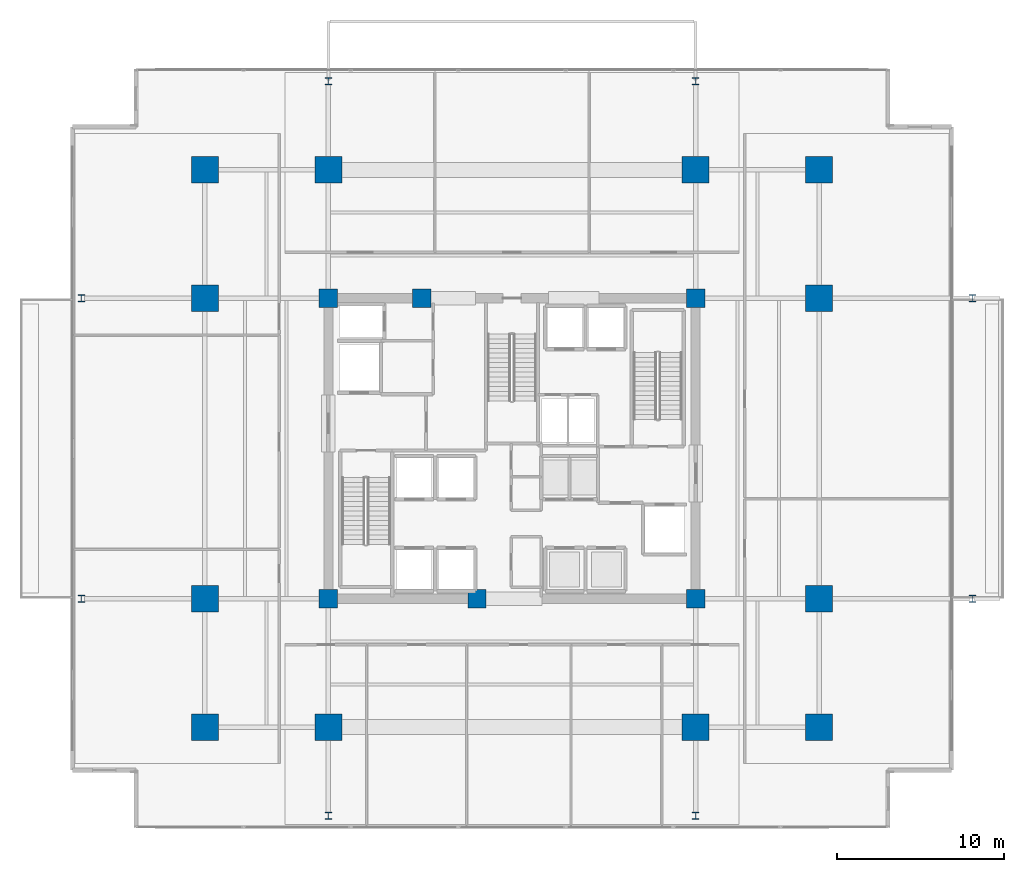
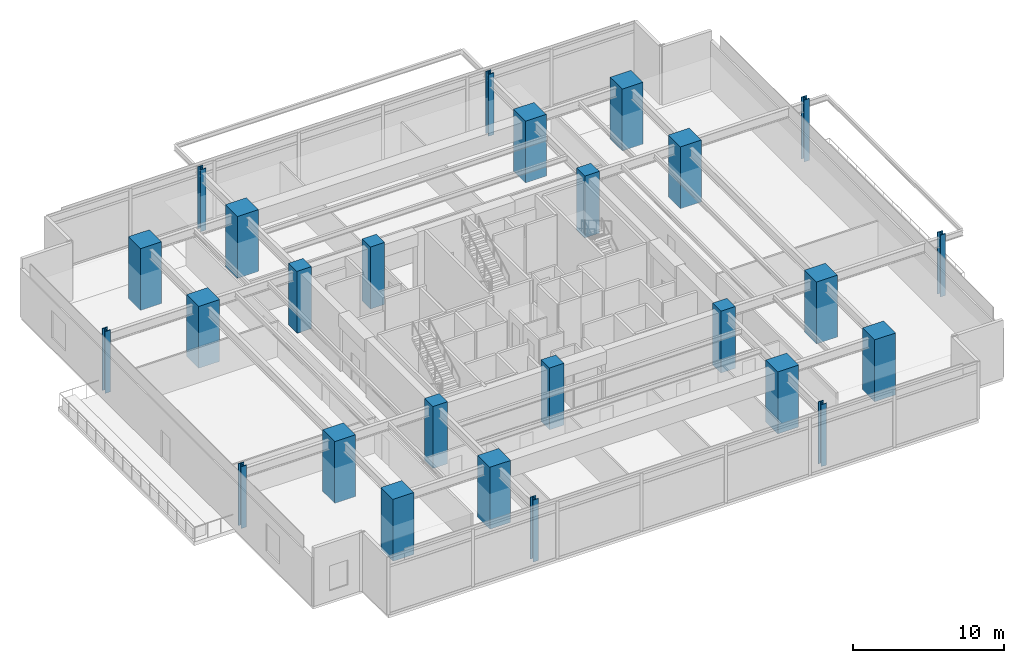
# One storey, part 1 of 24: 26 columns.
"""IFC4 building model written with IfcOpenShell, lengths in metres."""

from ifc_helpers import new_model, si_unit, direction, frame, origin, origin_2d, place, context, subcontext, project, spatial, rectangle, i_section, extrude, material, material_profile, profile_set, type_object, element, save


model = new_model("IFC4")

# Units and contexts
model_context = context("Model", 3, precision=1e-05, world=origin(), true_north=direction((0.0, 1.0)))
body_context = subcontext(model_context, "Body", "Model", "MODEL_VIEW")
ifc_project = project(units=[si_unit("LENGTHUNIT", "METRE"), si_unit("AREAUNIT", "SQUARE_METRE"), si_unit("VOLUMEUNIT", "CUBIC_METRE"), si_unit("PLANEANGLEUNIT", "RADIAN"), si_unit("MASSUNIT", "GRAM", prefix="KILO")], contexts=[model_context])

# Site, building, storey
site_placement = place(None, origin())
site = spatial("IfcSite", under=ifc_project, at=site_placement, CompositionType="ELEMENT")
building_placement = place(site_placement, origin())
building = spatial("IfcBuilding", under=site, at=building_placement, Name="Kovane Verandah Tower", CompositionType="ELEMENT")
storey_placement = place(building_placement, frame((0.0, 0.0, 118.39990234375)))
storey = spatial("IfcBuildingStorey", under=building, at=storey_placement, Name="L27", CompositionType="ELEMENT", Elevation=118.39990234375)

# Columns
ifc_material_1 = material(Name="Concrete C80/95", Category="concrete")
ifc_material_profile_1 = material_profile(ifc_material_1, rectangle(XDim=1.60009765625, YDim=1.60009765625, at=origin_2d()), Name="RC1600x1600")
ifc_profile_set_1 = profile_set([ifc_material_profile_1], Name="Concrete C80/95")
column_type_1 = type_object("IfcColumnType", Name="COL-RC1600", PredefinedType="COLUMN", material=ifc_profile_set_1)
for number, where, z_axis, x_axis, name in (
    (1, (29.0, 10.800048828125, 0.0), (0.0, 0.0, 1.0), (1.0, 0.0, 0.0), "L27 Tower Mega-Column MC-S1"),
    (2, (51.0, 10.800048828125, 0.0), (0.0, 0.0, 1.0), (1.0, 0.0, 0.0), "L27 Tower Mega-Column MC-S2"),
    (3, (29.0, 44.199951171875, 0.0), (0.0, 0.0, 1.0), (1.0, 0.0, 0.0), "L27 Tower Mega-Column MC-N1"),
    (4, (51.0, 44.199951171875, 0.0), (0.0, 0.0, 1.0), (1.0, 0.0, 0.0), "L27 Tower Mega-Column MC-N2"),
    (5, (21.60009765625, 18.5, 0.0), (0.0, 0.0, 1.0), (1.0, 0.0, 0.0), "L27 Tower Mega-Column MC-W1"),
    (6, (21.60009765625, 36.5, 0.0), (0.0, 0.0, 1.0), (1.0, 0.0, 0.0), "L27 Tower Mega-Column MC-W2"),
    (7, (58.39990234375, 18.5, 0.0), (0.0, 0.0, 1.0), (1.0, 0.0, 0.0), "L27 Tower Mega-Column MC-E1"),
    (8, (58.39990234375, 36.5, 0.0), (0.0, 0.0, 1.0), (1.0, 0.0, 0.0), "L27 Tower Mega-Column MC-E2"),
    (9, (21.60009765625, 10.800048828125, 0.0), (0.0, 0.0, 1.0), (1.0, 0.0, 0.0), "L27 Tower Mega-Column MC-SW"),
    (10, (58.39990234375, 10.800048828125, 0.0), (0.0, 0.0, 1.0), (1.0, 0.0, 0.0), "L27 Tower Mega-Column MC-SE"),
    (11, (21.60009765625, 44.199951171875, 0.0), (0.0, 0.0, 1.0), (1.0, 0.0, 0.0), "L27 Tower Mega-Column MC-NW"),
    (12, (58.39990234375, 44.199951171875, 0.0), (0.0, 0.0, 1.0), (1.0, 0.0, 0.0), "L27 Tower Mega-Column MC-NE"),
):
    element("IfcColumn", number, at=place(storey_placement, frame(where, z_axis=z_axis, x_axis=x_axis)), inside=storey, type_object=column_type_1, Name=name, PredefinedType="COLUMN", context=body_context, shape_type="SweptSolid", body=[
        extrude(rectangle(XDim=1.60009765625, YDim=1.60009765625, at=origin_2d()), origin(), (0.0, 0.0, 1.0), 5.0),
    ])
ifc_material_2 = material(Name="Steel S460", Category="steel")
ifc_material_profile_2 = material_profile(ifc_material_2, i_section(OverallWidth=0.412109375, OverallDepth=0.4365234375, WebThickness=0.035888671875, FlangeThickness=0.05810546875, FilletRadius=0.01513671875, at=origin_2d()), Name="UC356x406x467")
ifc_profile_set_2 = profile_set([ifc_material_profile_2], Name="Steel S460")
column_type_2 = type_object("IfcColumnType", Name="COL-UC467", PredefinedType="COLUMN", material=ifc_profile_set_2)
for number, where, z_axis, x_axis, name in (
    (13, (14.199951171875, 18.5, 0.0), (0.0, 0.0, 1.0), (1.0, 0.0, 0.0), "L27 Verandah Perimeter Column VC-W1"),
    (14, (14.199951171875, 36.5, 0.0), (0.0, 0.0, 1.0), (1.0, 0.0, 0.0), "L27 Verandah Perimeter Column VC-W2"),
    (15, (67.60009765625, 18.5, 0.0), (0.0, 0.0, 1.0), (1.0, 0.0, 0.0), "L27 Verandah Perimeter Column VC-E1"),
    (16, (67.60009765625, 36.5, 0.0), (0.0, 0.0, 1.0), (1.0, 0.0, 0.0), "L27 Verandah Perimeter Column VC-E2"),
    (17, (29.0, 5.5, 0.0), (0.0, 0.0, 1.0), (1.0, 0.0, 0.0), "L27 Verandah Perimeter Column VC-S1"),
    (18, (51.0, 5.5, 0.0), (0.0, 0.0, 1.0), (1.0, 0.0, 0.0), "L27 Verandah Perimeter Column VC-S2"),
    (19, (29.0, 49.5, 0.0), (0.0, 0.0, 1.0), (1.0, 0.0, 0.0), "L27 Verandah Perimeter Column VC-N1"),
    (20, (51.0, 49.5, 0.0), (0.0, 0.0, 1.0), (1.0, 0.0, 0.0), "L27 Verandah Perimeter Column VC-N2"),
):
    element("IfcColumn", number, at=place(storey_placement, frame(where, z_axis=z_axis, x_axis=x_axis)), inside=storey, type_object=column_type_2, Name=name, PredefinedType="COLUMN", context=body_context, shape_type="SweptSolid", body=[
        extrude(i_section(OverallWidth=0.412109375, OverallDepth=0.4365234375, WebThickness=0.035888671875, FlangeThickness=0.05810546875, FilletRadius=0.01513671875, at=origin_2d()), origin(), (0.0, 0.0, 1.0), 5.0),
    ])
ifc_material_profile_3 = material_profile(ifc_material_1, rectangle(XDim=1.10009765625, YDim=1.10009765625, at=origin_2d()), Name="RC1100x1100")
ifc_profile_set_3 = profile_set([ifc_material_profile_3], Name="Concrete C80/95")
column_type_3 = type_object("IfcColumnType", Name="PIL-RC1100", PredefinedType="PILASTER", material=ifc_profile_set_3)
for number, where, z_axis, x_axis, name in (
    (21, (29.0, 18.5, 0.0), (0.0, 0.0, 1.0), (1.0, 0.0, 0.0), "L27 Core Pilaster CP-SW"),
    (22, (51.0, 18.5, 0.0), (0.0, 0.0, 1.0), (1.0, 0.0, 0.0), "L27 Core Pilaster CP-SE"),
    (23, (29.0, 36.5, 0.0), (0.0, 0.0, 1.0), (1.0, 0.0, 0.0), "L27 Core Pilaster CP-NW"),
    (24, (51.0, 36.5, 0.0), (0.0, 0.0, 1.0), (1.0, 0.0, 0.0), "L27 Core Pilaster CP-NE"),
    (25, (37.89990234375, 18.5, 0.0), (0.0, 0.0, 1.0), (1.0, 0.0, 0.0), "L27 Core Pilaster CP-S"),
    (26, (34.60009765625, 36.5, 0.0), (0.0, 0.0, 1.0), (1.0, 0.0, 0.0), "L27 Core Pilaster CP-N"),
):
    element("IfcColumn", number, at=place(storey_placement, frame(where, z_axis=z_axis, x_axis=x_axis)), inside=storey, type_object=column_type_3, Name=name, PredefinedType="PILASTER", context=body_context, shape_type="SweptSolid", body=[
        extrude(rectangle(XDim=1.10009765625, YDim=1.10009765625, at=origin_2d()), origin(), (0.0, 0.0, 1.0), 5.0),
    ])

save(model, "model.ifc")
